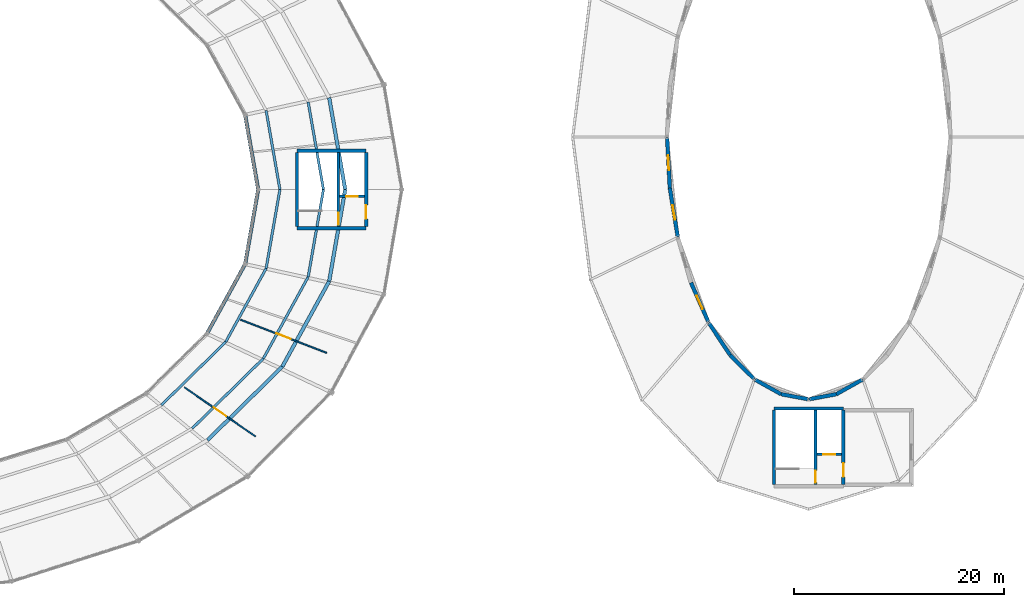
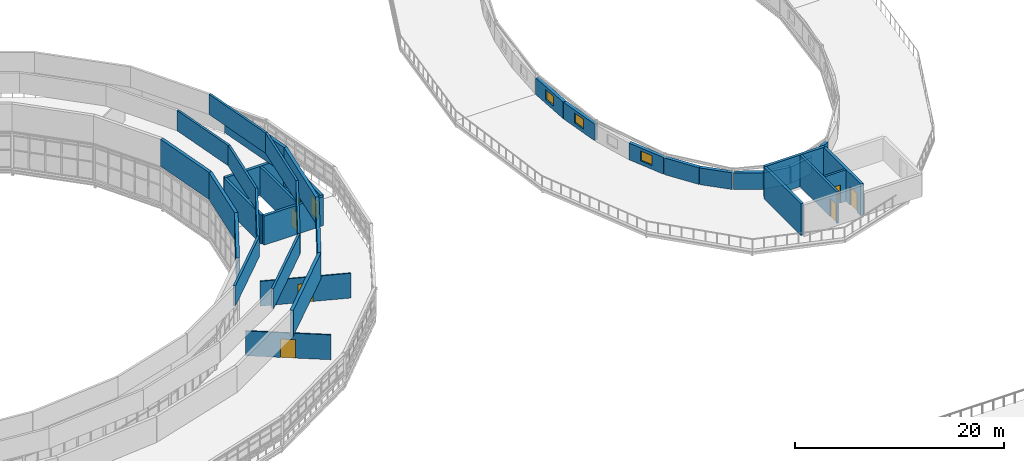
# One storey, part 105 of 123: 37 walls, 8 doors, 3 windows, 11 openings.
"""IFC4 building model written with IfcOpenShell, lengths in metres."""

from ifc_helpers import new_model, si_unit, direction, frame, frame_2d, origin, place, context, subcontext, project, spatial, rectangle, extrude, material, layer, layer_set, type_object, element, fill, save


model = new_model("IFC4")

# Units and contexts
model_context = context("Model", 3, precision=1e-05, world=origin(), true_north=direction((0.0, 1.0)))
body_context = subcontext(model_context, "Body", "Model", "MODEL_VIEW")
ifc_project = project(units=[si_unit("LENGTHUNIT", "METRE"), si_unit("AREAUNIT", "SQUARE_METRE"), si_unit("VOLUMEUNIT", "CUBIC_METRE"), si_unit("PLANEANGLEUNIT", "RADIAN"), si_unit("MASSUNIT", "GRAM", prefix="KILO")], contexts=[model_context])

# Site, building, storey
site_placement = place(None, origin())
site = spatial("IfcSite", under=ifc_project, at=site_placement, CompositionType="ELEMENT")
building_placement = place(site_placement, origin())
building = spatial("IfcBuilding", under=site, at=building_placement, Name="Kildeholm Park Wholesale Market", CompositionType="ELEMENT")
storey_placement = place(building_placement, frame((0.0, 0.0, 9.60009765625)))
storey = spatial("IfcBuildingStorey", under=building, at=storey_placement, Name="L02", CompositionType="ELEMENT", Elevation=9.60009765625)

# Wall, opening, window
ifc_material_1 = material(Name="Red Danish clinker brick masonry with Concrete C35/45 backing", Category="masonry")
ifc_layer_1 = layer(ifc_material_1, 0.360107421875)
ifc_layer_set_1 = layer_set([ifc_layer_1], Name="Red Danish clinker brick masonry with Concrete C35/45 backing")
wall_type_1 = type_object("IfcWallType", Name="Exterior wall W-EX1 360 mm", PredefinedType="SOLIDWALL", material=ifc_layer_set_1)
wall_1_placement = place(storey_placement, frame((174.5, 94.458984375, 0.0), z_axis=(0.0, 0.0, 1.0), x_axis=(0.05348754021, -0.998568516949, 0.0)))
wall_1 = element("IfcWall", 1, at=wall_1_placement, inside=storey, type_object=wall_type_1, Name="Oval nave clerestory wall 9.1 WL-0259", PredefinedType="SOLIDWALL", context=body_context, shape_type="SweptSolid", body=[
    extrude(rectangle(XDim=4.8427734375, YDim=0.360107421875, at=frame_2d((2.42138671875, 0.0))), origin(), (0.0, 0.0, 1.0), 1.949951171875),
])
opening_1_placement = place(wall_1_placement, frame((1.720947265625, 0.0, 0.449951171875)))
opening_1 = element("IfcOpeningElement", 2, at=opening_1_placement, cuts=wall_1, Name="Opening WN-18", PredefinedType="OPENING", context=body_context, shape_type="SweptSolid", body=[
    extrude(rectangle(XDim=1.39990234375, YDim=1.14990234375, at=frame_2d((0.699951171875, 0.574951171875))), frame((0.0, 0.18994140625, 0.0), z_axis=(0.0, -1.0, 0.0), x_axis=(1.0, 0.0, 0.0)), (0.0, 0.0, 1.0), 0.380126953125),
])
ifc_material_2 = material(Name="Thermally broken aluminium and triple-glazed low-E glass", Category="aluminium")
window_type = type_object("IfcWindowType", Name="Window WN-18 1400x1150", PartitioningType="DOUBLE_PANEL_VERTICAL", PredefinedType="WINDOW", material=ifc_material_2)
window_1_placement = place(opening_1_placement, origin())
window_1 = element("IfcWindow", 3, at=window_1_placement, inside=storey, type_object=window_type, Name="Oval clerestory window 9.0 WIN-0069", OverallHeight=1.14990234375, OverallWidth=1.39990234375, PartitioningType="SINGLE_PANEL", PredefinedType="WINDOW", context=body_context, shape_type="SweptSolid", body=[
    extrude(rectangle(XDim=1.39990234375, YDim=1.14990234375, at=frame_2d((0.699951171875, 0.574951171875))), frame((0.0, 0.030029296875, 0.0), z_axis=(0.0, -1.0, 0.0), x_axis=(1.0, 0.0, 0.0)), (0.0, 0.0, 1.0), 0.06005859375),
])
fill(opening_1, window_1)

wall_2_placement = place(storey_placement, frame((174.759033203125, 89.623046875, 0.0), z_axis=(0.0, 0.0, 1.0), x_axis=(0.161231765163, -0.986916570893, 0.0)))
wall_2 = element("IfcWall", 4, at=wall_2_placement, inside=storey, type_object=wall_type_1, Name="Oval nave clerestory wall 9.2 WL-0260", PredefinedType="SOLIDWALL", context=body_context, shape_type="SweptSolid", body=[
    extrude(rectangle(XDim=4.7138671875, YDim=0.360107421875, at=frame_2d((2.35693359375, 0.0))), origin(), (0.0, 0.0, 1.0), 1.949951171875),
])
opening_2_placement = place(wall_2_placement, frame((1.656982421875, 0.0, 0.449951171875)))
opening_2 = element("IfcOpeningElement", 5, at=opening_2_placement, cuts=wall_2, Name="Opening WN-18", PredefinedType="OPENING", context=body_context, shape_type="SweptSolid", body=[
    extrude(rectangle(XDim=1.39990234375, YDim=1.14990234375, at=frame_2d((0.699951171875, 0.574951171875))), frame((0.0, 0.18994140625, 0.0), z_axis=(0.0, -1.0, 0.0), x_axis=(1.0, 0.0, 0.0)), (0.0, 0.0, 1.0), 0.380126953125),
])
window_2_placement = place(opening_2_placement, origin())
window_2 = element("IfcWindow", 6, at=window_2_placement, inside=storey, type_object=window_type, Name="Oval clerestory window 9.1 WIN-0070", OverallHeight=1.14990234375, OverallWidth=1.39990234375, PartitioningType="SINGLE_PANEL", PredefinedType="WINDOW", context=body_context, shape_type="SweptSolid", body=[
    extrude(rectangle(XDim=1.39990234375, YDim=1.14990234375, at=frame_2d((0.699951171875, 0.574951171875))), frame((0.0, 0.030029296875, 0.0), z_axis=(0.0, -1.0, 0.0), x_axis=(1.0, 0.0, 0.0)), (0.0, 0.0, 1.0), 0.06005859375),
])
fill(opening_2, window_2)

wall_3_placement = place(storey_placement, frame((176.77490234375, 80.611083984375, 0.0), z_axis=(0.0, 0.0, 1.0), x_axis=(0.404659928735, -0.914467244945, 0.0)))
wall_3 = element("IfcWall", 7, at=wall_3_placement, inside=storey, type_object=wall_type_1, Name="Oval nave clerestory wall 10.2 WL-0266", PredefinedType="SOLIDWALL", context=body_context, shape_type="SweptSolid", body=[
    extrude(rectangle(XDim=4.107421875, YDim=0.360107421875, at=frame_2d((2.0537109375, 0.0))), origin(), (0.0, 0.0, 1.0), 1.949951171875),
])
opening_3_placement = place(wall_3_placement, frame((1.35400390625, 0.0, 0.449951171875)))
opening_3 = element("IfcOpeningElement", 8, at=opening_3_placement, cuts=wall_3, Name="Opening WN-18", PredefinedType="OPENING", context=body_context, shape_type="SweptSolid", body=[
    extrude(rectangle(XDim=1.39990234375, YDim=1.14990234375, at=frame_2d((0.699951171875, 0.574951171875))), frame((0.0, 0.18994140625, 0.0), z_axis=(0.0, -1.0, 0.0), x_axis=(1.0, 0.0, 0.0)), (0.0, 0.0, 1.0), 0.380126953125),
])
window_3_placement = place(opening_3_placement, origin())
window_3 = element("IfcWindow", 9, at=window_3_placement, inside=storey, type_object=window_type, Name="Oval clerestory window 10.1 WIN-0074", OverallHeight=1.14990234375, OverallWidth=1.39990234375, PartitioningType="SINGLE_PANEL", PredefinedType="WINDOW", context=body_context, shape_type="SweptSolid", body=[
    extrude(rectangle(XDim=1.39990234375, YDim=1.14990234375, at=frame_2d((0.699951171875, 0.574951171875))), frame((0.0, 0.030029296875, 0.0), z_axis=(0.0, -1.0, 0.0), x_axis=(1.0, 0.0, 0.0)), (0.0, 0.0, 1.0), 0.06005859375),
])
fill(opening_3, window_3)

# Walls
wall_4_placement = place(storey_placement, frame((178.47607421875, 76.782958984375, 0.0), z_axis=(0.0, 0.0, 1.0), x_axis=(0.550402776331, -0.834899265665, 0.0)))
element("IfcWall", 10, at=wall_4_placement, inside=storey, type_object=wall_type_1, Name="Oval nave clerestory wall 11.1 WL-0271", PredefinedType="SOLIDWALL", context=body_context, shape_type="SweptSolid", body=[
    extrude(rectangle(XDim=3.67724609375, YDim=0.360107421875, at=frame_2d((1.838623046875, 0.0))), origin(), (0.0, 0.0, 1.0), 1.949951171875),
])
wall_5_placement = place(storey_placement, frame((180.5, 73.712890625, 0.0), z_axis=(0.0, 0.0, 1.0), x_axis=(0.709882217203, -0.704320408407, 0.0)))
element("IfcWall", 11, at=wall_5_placement, inside=storey, type_object=wall_type_1, Name="Oval nave clerestory wall 11.2 WL-0272", PredefinedType="SOLIDWALL", context=body_context, shape_type="SweptSolid", body=[
    extrude(rectangle(XDim=3.248291015625, YDim=0.360107421875, at=frame_2d((1.6240234375, 0.0))), origin(), (0.0, 0.0, 1.0), 1.949951171875),
])
wall_6_placement = place(storey_placement, frame((182.868896484375, 71.3759765625, 0.0), z_axis=(0.0, 0.0, 1.0), x_axis=(0.872857959916, -0.487974365937, 0.0)))
element("IfcWall", 12, at=wall_6_placement, inside=storey, type_object=wall_type_1, Name="Oval nave clerestory wall 12.1 WL-0277", PredefinedType="SOLIDWALL", context=body_context, shape_type="SweptSolid", body=[
    extrude(rectangle(XDim=2.86083984375, YDim=0.360107421875, at=frame_2d((1.430419921875, 0.0))), origin(), (0.0, 0.0, 1.0), 1.949951171875),
])
for number, where, z_axis, x_axis, name in (
    (13, (185.365966796875, 69.97998046875, 0.0), (0.0, 0.0, 1.0), (0.983320632163, -0.181880549707, 0.0), "Oval nave clerestory wall 12.2 WL-0278"),
    (14, (188.0390625, 69.5, 0.0), (0.0, 0.0, 1.0), (0.983320632163, 0.181880549707, 0.0), "Oval nave clerestory wall 13.1 WL-0283"),
):
    element("IfcWall", number, at=place(storey_placement, frame(where, z_axis=z_axis, x_axis=x_axis)), inside=storey, type_object=wall_type_1, Name=name, PredefinedType="SOLIDWALL", context=body_context, shape_type="SweptSolid", body=[
        extrude(rectangle(XDim=2.638916015625, YDim=0.360107421875, at=frame_2d((1.3193359375, 0.0))), origin(), (0.0, 0.0, 1.0), 1.949951171875),
    ])
wall_7_placement = place(storey_placement, frame((190.634033203125, 69.97998046875, 0.0), z_axis=(0.0, 0.0, 1.0), x_axis=(0.872857959916, 0.487974365937, 0.0)))
element("IfcWall", 15, at=wall_7_placement, inside=storey, type_object=wall_type_1, Name="Oval nave clerestory wall 13.2 WL-0284", PredefinedType="SOLIDWALL", context=body_context, shape_type="SweptSolid", body=[
    extrude(rectangle(XDim=2.86083984375, YDim=0.360107421875, at=frame_2d((1.430419921875, 0.0))), origin(), (0.0, 0.0, 1.0), 1.949951171875),
])
ifc_material_3 = material(Name="Precast concrete C40/50 architectural rainscreen wall", Category="concrete")
ifc_layer_2 = layer(ifc_material_3, 0.340087890625)
ifc_layer_set_2 = layer_set([ifc_layer_2], Name="Precast concrete C40/50 architectural rainscreen wall")
wall_type_2 = type_object("IfcWallType", Name="Exterior wall W-EX4 340 mm", PredefinedType="SOLIDWALL", material=ifc_layer_set_2)
wall_8_placement = place(storey_placement, frame((143.800048828125, 89.5, 4.52978515625), z_axis=(0.0, 0.0, 1.0), x_axis=(-0.171964181022, 0.985103202941, 0.0)))
element("IfcWall", 16, at=wall_8_placement, inside=storey, type_object=wall_type_2, Name="Vault lantern clerestory wall 1 WL-0006", PredefinedType="SOLIDWALL", context=body_context, shape_type="SweptSolid", body=[
    extrude(rectangle(XDim=8.88037109375, YDim=0.340087890625, at=frame_2d((4.440185546875, 0.0))), origin(), (0.0, 0.0, 1.0), 3.02001953125),
])
wall_9_placement = place(storey_placement, frame((135.5, 89.5, 4.389892578125), z_axis=(0.0, 0.0, 1.0), x_axis=(-0.172146745201, 0.985071316259, 0.0)))
element("IfcWall", 17, at=wall_9_placement, inside=storey, type_object=wall_type_2, Name="Vault inner lower wall 1 WL-0007", PredefinedType="SOLIDWALL", context=body_context, shape_type="SweptSolid", body=[
    extrude(rectangle(XDim=7.225830078125, YDim=0.340087890625, at=frame_2d((3.61279296875, 0.0))), origin(), (0.0, 0.0, 1.0), 3.159912109375),
])
wall_10_placement = place(storey_placement, frame((141.72509765625, 89.5, 7.579833984375), z_axis=(0.0, 0.0, 1.0), x_axis=(-0.171983700119, 0.985099795398, 0.0)))
element("IfcWall", 18, at=wall_10_placement, inside=storey, type_object=wall_type_2, Name="Vault crown outer clerestory 1 WL-0008", PredefinedType="SOLIDWALL", context=body_context, shape_type="SweptSolid", body=[
    extrude(rectangle(XDim=8.46630859375, YDim=0.239990234375, at=frame_2d((4.233154296875, 0.0))), origin(), (0.0, 0.0, 1.0), 2.3701171875),
])
wall_11_placement = place(storey_placement, frame((137.574951171875, 89.5, 7.579833984375), z_axis=(0.0, 0.0, 1.0), x_axis=(-0.172012838792, 0.985094707777, 0.0)))
element("IfcWall", 19, at=wall_11_placement, inside=storey, type_object=wall_type_2, Name="Vault crown inner clerestory 1 WL-0009", PredefinedType="SOLIDWALL", context=body_context, shape_type="SweptSolid", body=[
    extrude(rectangle(XDim=7.638671875, YDim=0.239990234375, at=frame_2d((3.8193359375, 0.0))), origin(), (0.0, 0.0, 1.0), 2.3701171875),
])
wall_12_placement = place(storey_placement, frame((130.677978515625, 65.60009765625, 4.52978515625), z_axis=(0.0, 0.0, 1.0), x_axis=(0.713096204455, 0.701066190307, 0.0)))
element("IfcWall", 20, at=wall_12_placement, inside=storey, type_object=wall_type_2, Name="Vault lantern clerestory wall 22 WL-0185", PredefinedType="SOLIDWALL", context=body_context, shape_type="SweptSolid", body=[
    extrude(rectangle(XDim=9.98486328125, YDim=0.340087890625, at=frame_2d((4.992431640625, 0.0))), origin(), (0.0, 0.0, 1.0), 3.02001953125),
])
wall_13_placement = place(storey_placement, frame((129.2109375, 66.712890625, 7.579833984375), z_axis=(0.0, 0.0, 1.0), x_axis=(0.713170660677, 0.700990448401, 0.0)))
element("IfcWall", 21, at=wall_13_placement, inside=storey, type_object=wall_type_2, Name="Vault crown outer clerestory 22 WL-0187", PredefinedType="SOLIDWALL", context=body_context, shape_type="SweptSolid", body=[
    extrude(rectangle(XDim=9.52099609375, YDim=0.239990234375, at=frame_2d((4.760498046875, 0.0))), origin(), (0.0, 0.0, 1.0), 2.3701171875),
])
wall_14_placement = place(storey_placement, frame((126.277099609375, 68.94091796875, 7.579833984375), z_axis=(0.0, 0.0, 1.0), x_axis=(0.713414677491, 0.700742105157, 0.0)))
element("IfcWall", 22, at=wall_14_placement, inside=storey, type_object=wall_type_2, Name="Vault crown inner clerestory 22 WL-0188", PredefinedType="SOLIDWALL", context=body_context, shape_type="SweptSolid", body=[
    extrude(rectangle(XDim=8.59228515625, YDim=0.239990234375, at=frame_2d((4.296142578125, 0.0))), origin(), (0.0, 0.0, 1.0), 2.3701171875),
])
wall_15_placement = place(storey_placement, frame((137.798095703125, 72.60009765625, 4.52978515625), z_axis=(0.0, 0.0, 1.0), x_axis=(0.481203038707, 0.876609169208, 0.0)))
element("IfcWall", 23, at=wall_15_placement, inside=storey, type_object=wall_type_2, Name="Vault lantern clerestory wall 23 WL-0194", PredefinedType="SOLIDWALL", context=body_context, shape_type="SweptSolid", body=[
    extrude(rectangle(XDim=9.29931640625, YDim=0.340087890625, at=frame_2d((4.649658203125, 0.0))), origin(), (0.0, 0.0, 1.0), 3.02001953125),
])
wall_16_placement = place(storey_placement, frame((130.610107421875, 75.75, 4.389892578125), z_axis=(0.0, 0.0, 1.0), x_axis=(0.481751565348, 0.876307839338, 0.0)))
element("IfcWall", 24, at=wall_16_placement, inside=storey, type_object=wall_type_2, Name="Vault inner lower wall 23 WL-0195", PredefinedType="SOLIDWALL", context=body_context, shape_type="SweptSolid", body=[
    extrude(rectangle(XDim=7.568115234375, YDim=0.340087890625, at=frame_2d((3.7841796875, 0.0))), origin(), (0.0, 0.0, 1.0), 3.159912109375),
])
wall_17_placement = place(storey_placement, frame((136.0009765625, 73.386962890625, 7.579833984375), z_axis=(0.0, 0.0, 1.0), x_axis=(0.48130775835, 0.876551676601, 0.0)))
element("IfcWall", 25, at=wall_17_placement, inside=storey, type_object=wall_type_2, Name="Vault crown outer clerestory 23 WL-0196", PredefinedType="SOLIDWALL", context=body_context, shape_type="SweptSolid", body=[
    extrude(rectangle(XDim=8.86767578125, YDim=0.239990234375, at=frame_2d((4.433837890625, 0.0))), origin(), (0.0, 0.0, 1.0), 2.3701171875),
])
wall_18_placement = place(storey_placement, frame((132.406982421875, 74.9619140625, 7.579833984375), z_axis=(0.0, 0.0, 1.0), x_axis=(0.481607192972, 0.876387192785, 0.0)))
element("IfcWall", 26, at=wall_18_placement, inside=storey, type_object=wall_type_2, Name="Vault crown inner clerestory 23 WL-0197", PredefinedType="SOLIDWALL", context=body_context, shape_type="SweptSolid", body=[
    extrude(rectangle(XDim=8.00244140625, YDim=0.239990234375, at=frame_2d((4.001220703125, 0.0))), origin(), (0.0, 0.0, 1.0), 2.3701171875),
])
wall_19_placement = place(storey_placement, frame((142.27294921875, 80.751953125, 4.52978515625), z_axis=(0.0, 0.0, 1.0), x_axis=(0.171964181022, 0.985103202941, 0.0)))
element("IfcWall", 27, at=wall_19_placement, inside=storey, type_object=wall_type_2, Name="Vault lantern clerestory wall 24 WL-0203", PredefinedType="SOLIDWALL", context=body_context, shape_type="SweptSolid", body=[
    extrude(rectangle(XDim=8.88037109375, YDim=0.340087890625, at=frame_2d((4.440185546875, 0.0))), origin(), (0.0, 0.0, 1.0), 3.02001953125),
])
wall_20_placement = place(storey_placement, frame((134.256103515625, 82.382080078125, 4.389892578125), z_axis=(0.0, 0.0, 1.0), x_axis=(0.172146745201, 0.985071316259, 0.0)))
element("IfcWall", 28, at=wall_20_placement, inside=storey, type_object=wall_type_2, Name="Vault inner lower wall 24 WL-0204", PredefinedType="SOLIDWALL", context=body_context, shape_type="SweptSolid", body=[
    extrude(rectangle(XDim=7.225830078125, YDim=0.340087890625, at=frame_2d((3.61279296875, 0.0))), origin(), (0.0, 0.0, 1.0), 3.159912109375),
])
wall_21_placement = place(storey_placement, frame((140.26904296875, 81.159912109375, 7.579833984375), z_axis=(0.0, 0.0, 1.0), x_axis=(0.171983700119, 0.985099795398, 0.0)))
element("IfcWall", 29, at=wall_21_placement, inside=storey, type_object=wall_type_2, Name="Vault crown outer clerestory 24 WL-0205", PredefinedType="SOLIDWALL", context=body_context, shape_type="SweptSolid", body=[
    extrude(rectangle(XDim=8.46630859375, YDim=0.239990234375, at=frame_2d((4.233154296875, 0.0))), origin(), (0.0, 0.0, 1.0), 2.3701171875),
])
wall_22_placement = place(storey_placement, frame((136.260986328125, 81.97509765625, 7.579833984375), z_axis=(0.0, 0.0, 1.0), x_axis=(0.172012838792, 0.985094707777, 0.0)))
element("IfcWall", 30, at=wall_22_placement, inside=storey, type_object=wall_type_2, Name="Vault crown inner clerestory 24 WL-0206", PredefinedType="SOLIDWALL", context=body_context, shape_type="SweptSolid", body=[
    extrude(rectangle(XDim=7.638671875, YDim=0.239990234375, at=frame_2d((3.8193359375, 0.0))), origin(), (0.0, 0.0, 1.0), 2.3701171875),
])

# Wall, opening, door
ifc_material_4 = material(Name="Glazed office and laboratory acoustic partition")
ifc_layer_3 = layer(ifc_material_4, 0.1298828125)
ifc_layer_set_3 = layer_set([ifc_layer_3], Name="Glazed office and laboratory acoustic partition")
wall_type_3 = type_object("IfcWallType", Name="Partition W-PT12 130 mm", PredefinedType="PARTITIONING", material=ifc_layer_set_3)
wall_23_placement = place(storey_placement, frame((128.47509765625, 70.6259765625, 0.0), z_axis=(0.0, 0.0, 1.0), x_axis=(0.822666462931, -0.568524309743, 0.0)))
wall_23 = element("IfcWall", 31, at=wall_23_placement, inside=storey, type_object=wall_type_3, Name="Interior partition W-V1-ST2-21 WL-0953", PredefinedType="PARTITIONING", context=body_context, shape_type="SweptSolid", body=[
    extrude(rectangle(XDim=8.22314453125, YDim=0.1298828125, at=frame_2d((4.111572265625, 0.0))), origin(), (0.0, 0.0, 1.0), 2.89990234375),
])
opening_4_placement = place(wall_23_placement, frame((3.386962890625, 0.0, 0.0)))
opening_4 = element("IfcOpeningElement", 32, at=opening_4_placement, cuts=wall_23, Name="Opening D-IN08", PredefinedType="OPENING", context=body_context, shape_type="SweptSolid", body=[
    extrude(rectangle(XDim=1.449951171875, YDim=2.14990234375, at=frame_2d((0.72509765625, 1.074951171875))), frame((0.0, 0.074951171875, 0.0), z_axis=(0.0, -1.0, 0.0), x_axis=(1.0, 0.0, 0.0)), (0.0, 0.0, 1.0), 0.14990234375),
])
ifc_material_5 = material(Name="Buyers exchange glazed doorset")
door_type_1 = type_object("IfcDoorType", Name="Interior door D-IN08 1450x2150", OperationType="NOTDEFINED", PredefinedType="DOOR", material=ifc_material_5)
door_1_placement = place(opening_4_placement, origin())
door_1 = element("IfcDoor", 33, at=door_1_placement, inside=storey, type_object=door_type_1, Name="Interior door V1-ST2-21 DR-0228 WL-0953", OperationType="SINGLE_SWING_RIGHT", OverallHeight=2.14990234375, OverallWidth=1.449951171875, PredefinedType="DOOR", context=body_context, shape_type="SweptSolid", body=[
    extrude(rectangle(XDim=1.449951171875, YDim=2.14990234375, at=frame_2d((0.72509765625, 1.074951171875))), frame((0.0, 0.02490234375, 0.0), z_axis=(0.0, -1.0, 0.0), x_axis=(1.0, 0.0, 0.0)), (0.0, 0.0, 1.0), 0.050048828125),
])
fill(opening_4, door_1)

wall_24_placement = place(storey_placement, frame((133.830078125, 77.08203125, 0.0), z_axis=(0.0, 0.0, 1.0), x_axis=(0.933238808021, -0.359256631399, 0.0)))
wall_24 = element("IfcWall", 34, at=wall_24_placement, inside=storey, type_object=wall_type_3, Name="Interior partition W-V1-ST2-22 WL-0956", PredefinedType="PARTITIONING", context=body_context, shape_type="SweptSolid", body=[
    extrude(rectangle(XDim=8.7822265625, YDim=0.1298828125, at=frame_2d((4.39111328125, 0.0))), origin(), (0.0, 0.0, 1.0), 2.89990234375),
])
opening_5_placement = place(wall_24_placement, frame((3.666015625, 0.0, 0.0)))
opening_5 = element("IfcOpeningElement", 35, at=opening_5_placement, cuts=wall_24, Name="Opening D-IN08", PredefinedType="OPENING", context=body_context, shape_type="SweptSolid", body=[
    extrude(rectangle(XDim=1.449951171875, YDim=2.14990234375, at=frame_2d((0.72509765625, 1.074951171875))), frame((0.0, 0.074951171875, 0.0), z_axis=(0.0, -1.0, 0.0), x_axis=(1.0, 0.0, 0.0)), (0.0, 0.0, 1.0), 0.14990234375),
])
door_2_placement = place(opening_5_placement, origin())
door_2 = element("IfcDoor", 36, at=door_2_placement, inside=storey, type_object=door_type_1, Name="Interior door V1-ST2-22 DR-0231 WL-0956", OperationType="SINGLE_SWING_LEFT", OverallHeight=2.14990234375, OverallWidth=1.449951171875, PredefinedType="DOOR", context=body_context, shape_type="SweptSolid", body=[
    extrude(rectangle(XDim=1.449951171875, YDim=2.14990234375, at=frame_2d((0.72509765625, 1.074951171875))), frame((0.0, 0.02490234375, 0.0), z_axis=(0.0, -1.0, 0.0), x_axis=(1.0, 0.0, 0.0)), (0.0, 0.0, 1.0), 0.050048828125),
])
fill(opening_5, door_2)

# Walls
ifc_material_6 = material(Name="Concrete C40/50", Category="concrete")
ifc_layer_4 = layer(ifc_material_6, 0.300048828125)
ifc_layer_set_4 = layer_set([ifc_layer_4], Name="Concrete C40/50")
wall_type_4 = type_object("IfcWallType", Name="Shear wall W-SH1 300 mm", PredefinedType="SHEAR", material=ifc_layer_set_4)
for number, where, z_axis, x_axis, name in (
    (37, (139.199951171875, 85.800048828125, 0.0), (0.0, 0.0, 1.0), (1.0, 0.0, 0.0), "Core C08 south shear wall L02 WL-0804"),
    (38, (139.199951171875, 93.199951171875, 0.0), (0.0, 0.0, 1.0), (1.0, 0.0, 0.0), "Core C08 north shear wall L02 WL-0805"),
):
    element("IfcWall", number, at=place(storey_placement, frame(where, z_axis=z_axis, x_axis=x_axis)), inside=storey, type_object=wall_type_4, Name=name, PredefinedType="SHEAR", context=body_context, shape_type="SweptSolid", body=[
        extrude(rectangle(XDim=6.60009765625, YDim=0.300048828125, at=frame_2d((3.300048828125, 0.0))), origin(), (0.0, 0.0, 1.0), 3.39990234375),
    ])
wall_25_placement = place(storey_placement, frame((139.199951171875, 85.949951171875, 0.0), z_axis=(0.0, 0.0, 1.0), x_axis=(0.0, 1.0, 0.0)))
element("IfcWall", 39, at=wall_25_placement, inside=storey, type_object=wall_type_4, Name="Core C08 west shear wall L02 WL-0806", PredefinedType="SHEAR", context=body_context, shape_type="SweptSolid", body=[
    extrude(rectangle(XDim=7.10009765625, YDim=0.300048828125, at=frame_2d((3.550048828125, 0.0))), origin(), (0.0, 0.0, 1.0), 3.39990234375),
])

# Wall, opening, door
wall_26_placement = place(storey_placement, frame((145.800048828125, 85.949951171875, 0.0), z_axis=(0.0, 0.0, 1.0), x_axis=(0.0, 1.0, 0.0)))
wall_26 = element("IfcWall", 40, at=wall_26_placement, inside=storey, type_object=wall_type_4, Name="Core C08 east shear wall L02 WL-0807", PredefinedType="SHEAR", context=body_context, shape_type="SweptSolid", body=[
    extrude(rectangle(XDim=7.10009765625, YDim=0.300048828125, at=frame_2d((3.550048828125, 0.0))), origin(), (0.0, 0.0, 1.0), 3.39990234375),
])
opening_6_placement = place(wall_26_placement, frame((0.75, 0.0, 0.0)))
opening_6 = element("IfcOpeningElement", 41, at=opening_6_placement, cuts=wall_26, Name="Opening D-CR02", PredefinedType="OPENING", context=body_context, shape_type="SweptSolid", body=[
    extrude(rectangle(XDim=1.300048828125, YDim=2.14990234375, at=frame_2d((0.64990234375, 1.074951171875))), frame((0.0, 0.159912109375, 0.0), z_axis=(0.0, -1.0, 0.0), x_axis=(1.0, 0.0, 0.0)), (0.0, 0.0, 1.0), 0.320068359375),
])
ifc_material_7 = material(Name="Painted steel core lobby double-leaf doorset", Category="steel")
door_type_2 = type_object("IfcDoorType", Name="Interior door D-CR02 1300x2150", OperationType="NOTDEFINED", PredefinedType="DOOR", material=ifc_material_7)
door_3_placement = place(opening_6_placement, frame((1.300048828125, 0.0, 0.0), z_axis=(0.0, 0.0, 1.0), x_axis=(-1.0, 0.0, 0.0)))
door_3 = element("IfcDoor", 42, at=door_3_placement, inside=storey, type_object=door_type_2, Name="Core C08 lobby entrance door L02 DR-0153 WL-0807", OperationType="DOUBLE_DOOR_SINGLE_SWING", OverallHeight=2.14990234375, OverallWidth=1.300048828125, PredefinedType="DOOR", context=body_context, shape_type="SweptSolid", body=[
    extrude(rectangle(XDim=1.300048828125, YDim=2.14990234375, at=frame_2d((0.64990234375, 1.074951171875))), frame((0.0, 0.02490234375, 0.0), z_axis=(0.0, -1.0, 0.0), x_axis=(1.0, 0.0, 0.0)), (0.0, 0.0, 1.0), 0.050048828125),
])
fill(opening_6, door_3)

# Walls
wall_27_placement = place(storey_placement, frame((184.699951171875, 68.60009765625, 0.0), z_axis=(0.0, 0.0, 1.0), x_axis=(1.0, 0.0, 0.0)))
element("IfcWall", 43, at=wall_27_placement, inside=storey, type_object=wall_type_4, Name="Core C12 north shear wall L02 WL-0871", PredefinedType="SHEAR", context=body_context, shape_type="SweptSolid", body=[
    extrude(rectangle(XDim=6.60009765625, YDim=0.300048828125, at=frame_2d((3.300048828125, 0.0))), origin(), (0.0, 0.0, 1.0), 3.699951171875),
])
wall_28_placement = place(storey_placement, frame((184.699951171875, 61.35009765625, 0.0), z_axis=(0.0, 0.0, 1.0), x_axis=(0.0, 1.0, 0.0)))
element("IfcWall", 44, at=wall_28_placement, inside=storey, type_object=wall_type_4, Name="Core C12 west shear wall L02 WL-0872", PredefinedType="SHEAR", context=body_context, shape_type="SweptSolid", body=[
    extrude(rectangle(XDim=7.099853515625, YDim=0.300048828125, at=frame_2d((3.5498046875, 0.0))), origin(), (0.0, 0.0, 1.0), 3.699951171875),
])

# Wall, opening, door
wall_29_placement = place(storey_placement, frame((191.300048828125, 61.35009765625, 0.0), z_axis=(0.0, 0.0, 1.0), x_axis=(0.0, 1.0, 0.0)))
wall_29 = element("IfcWall", 45, at=wall_29_placement, inside=storey, type_object=wall_type_4, Name="Core C12 east shear wall L02 WL-0873", PredefinedType="SHEAR", context=body_context, shape_type="SweptSolid", body=[
    extrude(rectangle(XDim=7.099853515625, YDim=0.300048828125, at=frame_2d((3.5498046875, 0.0))), origin(), (0.0, 0.0, 1.0), 3.699951171875),
])
opening_7_placement = place(wall_29_placement, frame((0.75, 0.0, 0.0)))
opening_7 = element("IfcOpeningElement", 46, at=opening_7_placement, cuts=wall_29, Name="Opening D-CR02", PredefinedType="OPENING", context=body_context, shape_type="SweptSolid", body=[
    extrude(rectangle(XDim=1.300048828125, YDim=2.14990234375, at=frame_2d((0.64990234375, 1.074951171875))), frame((0.0, 0.159912109375, 0.0), z_axis=(0.0, -1.0, 0.0), x_axis=(1.0, 0.0, 0.0)), (0.0, 0.0, 1.0), 0.320068359375),
])
door_4_placement = place(opening_7_placement, frame((1.300048828125, 0.0, 0.0), z_axis=(0.0, 0.0, 1.0), x_axis=(-1.0, 0.0, 0.0)))
door_4 = element("IfcDoor", 47, at=door_4_placement, inside=storey, type_object=door_type_2, Name="Core C12 lobby entrance door L02 DR-0187 WL-0873", OperationType="DOUBLE_DOOR_SINGLE_SWING", OverallHeight=2.14990234375, OverallWidth=1.300048828125, PredefinedType="DOOR", context=body_context, shape_type="SweptSolid", body=[
    extrude(rectangle(XDim=1.300048828125, YDim=2.14990234375, at=frame_2d((0.64990234375, 1.074951171875))), frame((0.0, 0.02490234375, 0.0), z_axis=(0.0, -1.0, 0.0), x_axis=(1.0, 0.0, 0.0)), (0.0, 0.0, 1.0), 0.050048828125),
])
fill(opening_7, door_4)

ifc_layer_5 = layer(ifc_material_6, 0.25)
ifc_layer_set_5 = layer_set([ifc_layer_5], Name="Concrete C40/50")
wall_type_5 = type_object("IfcWallType", Name="Shear wall W-SH2 250 mm", PredefinedType="SHEAR", material=ifc_layer_set_5)
wall_30_placement = place(storey_placement, frame((143.14990234375, 85.949951171875, 0.0), z_axis=(0.0, 0.0, 1.0), x_axis=(0.0, 1.0, 0.0)))
wall_30 = element("IfcWall", 48, at=wall_30_placement, inside=storey, type_object=wall_type_5, Name="Core C08 shaft wall L02 WL-0808", PredefinedType="SHEAR", context=body_context, shape_type="SweptSolid", body=[
    extrude(rectangle(XDim=7.10009765625, YDim=0.25, at=frame_2d((3.550048828125, 0.0))), origin(), (0.0, 0.0, 1.0), 3.39990234375),
])
opening_8_placement = place(wall_30_placement, frame((0.199951171875, 0.0, 0.0)))
opening_8 = element("IfcOpeningElement", 49, at=opening_8_placement, cuts=wall_30, Name="Opening D-CR01", PredefinedType="OPENING", context=body_context, shape_type="SweptSolid", body=[
    extrude(rectangle(XDim=1.14990234375, YDim=2.14990234375, at=frame_2d((0.574951171875, 1.074951171875))), frame((0.0, 0.135009765625, 0.0), z_axis=(0.0, -1.0, 0.0), x_axis=(1.0, 0.0, 0.0)), (0.0, 0.0, 1.0), 0.27001953125),
])
ifc_material_8 = material(Name="Painted steel fire escape doorset", Category="steel")
door_type_3 = type_object("IfcDoorType", Name="Interior door D-CR01 1150x2150", OperationType="NOTDEFINED", PredefinedType="DOOR", material=ifc_material_8)
door_5_placement = place(opening_8_placement, frame((1.14990234375, 0.0, 0.0), z_axis=(0.0, 0.0, 1.0), x_axis=(-1.0, 0.0, 0.0)))
door_5 = element("IfcDoor", 50, at=door_5_placement, inside=storey, type_object=door_type_3, Name="Core C08 stair fire door L02 DR-0154 WL-0808", OperationType="SINGLE_SWING_LEFT", OverallHeight=2.14990234375, OverallWidth=1.14990234375, PredefinedType="DOOR", context=body_context, shape_type="SweptSolid", body=[
    extrude(rectangle(XDim=1.14990234375, YDim=2.14990234375, at=frame_2d((0.574951171875, 1.074951171875))), frame((0.0, 0.02490234375, 0.0), z_axis=(0.0, -1.0, 0.0), x_axis=(1.0, 0.0, 0.0)), (0.0, 0.0, 1.0), 0.050048828125),
])
fill(opening_8, door_5)

wall_31_placement = place(storey_placement, frame((143.27001953125, 88.85009765625, 0.0), z_axis=(0.0, 0.0, 1.0), x_axis=(1.0, 0.0, 0.0)))
wall_31 = element("IfcWall", 51, at=wall_31_placement, inside=storey, type_object=wall_type_5, Name="Lift LF-03 shaft front wall L02 WL-0809", PredefinedType="SHEAR", context=body_context, shape_type="SweptSolid", body=[
    extrude(rectangle(XDim=2.3798828125, YDim=0.25, at=frame_2d((1.18994140625, 0.0))), origin(), (0.0, 0.0, 1.0), 3.39990234375),
])
opening_9_placement = place(wall_31_placement, frame((0.639892578125, 0.0, 0.0)))
opening_9 = element("IfcOpeningElement", 52, at=opening_9_placement, cuts=wall_31, Name="Opening LD-03", PredefinedType="OPENING", context=body_context, shape_type="SweptSolid", body=[
    extrude(rectangle(XDim=1.10009765625, YDim=2.14990234375, at=frame_2d((0.550048828125, 1.074951171875))), frame((0.0, 0.135009765625, 0.0), z_axis=(0.0, -1.0, 0.0), x_axis=(1.0, 0.0, 0.0)), (0.0, 0.0, 1.0), 0.27001953125),
])
ifc_material_9 = material(Name="Stainless steel AISI 316 passenger lift landing door", Category="steel")
door_type_4 = type_object("IfcDoorType", Name="Interior door D-LD01 1100x2150", OperationType="NOTDEFINED", PredefinedType="DOOR", material=ifc_material_9)
door_6_placement = place(opening_9_placement, origin())
door_6 = element("IfcDoor", 53, at=door_6_placement, inside=storey, type_object=door_type_4, Name="Lift LF-03 sliding landing door L02 DR-0155 WL-0809", OperationType="SLIDING_TO_LEFT", OverallHeight=2.14990234375, OverallWidth=1.10009765625, PredefinedType="DOOR", context=body_context, shape_type="SweptSolid", body=[
    extrude(rectangle(XDim=1.10009765625, YDim=2.14990234375, at=frame_2d((0.550048828125, 1.074951171875))), frame((0.0, 0.02490234375, 0.0), z_axis=(0.0, -1.0, 0.0), x_axis=(1.0, 0.0, 0.0)), (0.0, 0.0, 1.0), 0.050048828125),
])
fill(opening_9, door_6)

wall_32_placement = place(storey_placement, frame((188.64990234375, 61.35009765625, 0.0), z_axis=(0.0, 0.0, 1.0), x_axis=(0.0, 1.0, 0.0)))
wall_32 = element("IfcWall", 54, at=wall_32_placement, inside=storey, type_object=wall_type_5, Name="Core C12 shaft wall L02 WL-0874", PredefinedType="SHEAR", context=body_context, shape_type="SweptSolid", body=[
    extrude(rectangle(XDim=7.099853515625, YDim=0.25, at=frame_2d((3.5498046875, 0.0))), origin(), (0.0, 0.0, 1.0), 3.699951171875),
])
opening_10_placement = place(wall_32_placement, frame((0.199951171875, 0.0, 0.0)))
opening_10 = element("IfcOpeningElement", 55, at=opening_10_placement, cuts=wall_32, Name="Opening D-CR01", PredefinedType="OPENING", context=body_context, shape_type="SweptSolid", body=[
    extrude(rectangle(XDim=1.14990234375, YDim=2.14990234375, at=frame_2d((0.574951171875, 1.074951171875))), frame((0.0, 0.135009765625, 0.0), z_axis=(0.0, -1.0, 0.0), x_axis=(1.0, 0.0, 0.0)), (0.0, 0.0, 1.0), 0.27001953125),
])
door_7_placement = place(opening_10_placement, frame((1.14990234375, 0.0, 0.0), z_axis=(0.0, 0.0, 1.0), x_axis=(-1.0, 0.0, 0.0)))
door_7 = element("IfcDoor", 56, at=door_7_placement, inside=storey, type_object=door_type_3, Name="Core C12 stair fire door L02 DR-0188 WL-0874", OperationType="SINGLE_SWING_LEFT", OverallHeight=2.14990234375, OverallWidth=1.14990234375, PredefinedType="DOOR", context=body_context, shape_type="SweptSolid", body=[
    extrude(rectangle(XDim=1.14990234375, YDim=2.14990234375, at=frame_2d((0.574951171875, 1.074951171875))), frame((0.0, 0.02490234375, 0.0), z_axis=(0.0, -1.0, 0.0), x_axis=(1.0, 0.0, 0.0)), (0.0, 0.0, 1.0), 0.050048828125),
])
fill(opening_10, door_7)

wall_33_placement = place(storey_placement, frame((188.77001953125, 64.25, 0.0), z_axis=(0.0, 0.0, 1.0), x_axis=(1.0, 0.0, 0.0)))
wall_33 = element("IfcWall", 57, at=wall_33_placement, inside=storey, type_object=wall_type_5, Name="Lift LF-04 shaft front wall L02 WL-0875", PredefinedType="SHEAR", context=body_context, shape_type="SweptSolid", body=[
    extrude(rectangle(XDim=2.3798828125, YDim=0.25, at=frame_2d((1.18994140625, 0.0))), origin(), (0.0, 0.0, 1.0), 3.699951171875),
])
opening_11_placement = place(wall_33_placement, frame((0.639892578125, 0.0, 0.0)))
opening_11 = element("IfcOpeningElement", 58, at=opening_11_placement, cuts=wall_33, Name="Opening LD-04", PredefinedType="OPENING", context=body_context, shape_type="SweptSolid", body=[
    extrude(rectangle(XDim=1.10009765625, YDim=2.14990234375, at=frame_2d((0.550048828125, 1.074951171875))), frame((0.0, 0.135009765625, 0.0), z_axis=(0.0, -1.0, 0.0), x_axis=(1.0, 0.0, 0.0)), (0.0, 0.0, 1.0), 0.27001953125),
])
door_8_placement = place(opening_11_placement, origin())
door_8 = element("IfcDoor", 59, at=door_8_placement, inside=storey, type_object=door_type_4, Name="Lift LF-04 sliding landing door L02 DR-0189 WL-0875", OperationType="SLIDING_TO_LEFT", OverallHeight=2.14990234375, OverallWidth=1.10009765625, PredefinedType="DOOR", context=body_context, shape_type="SweptSolid", body=[
    extrude(rectangle(XDim=1.10009765625, YDim=2.14990234375, at=frame_2d((0.550048828125, 1.074951171875))), frame((0.0, 0.02490234375, 0.0), z_axis=(0.0, -1.0, 0.0), x_axis=(1.0, 0.0, 0.0)), (0.0, 0.0, 1.0), 0.050048828125),
])
fill(opening_11, door_8)

save(model, "model.ifc")
